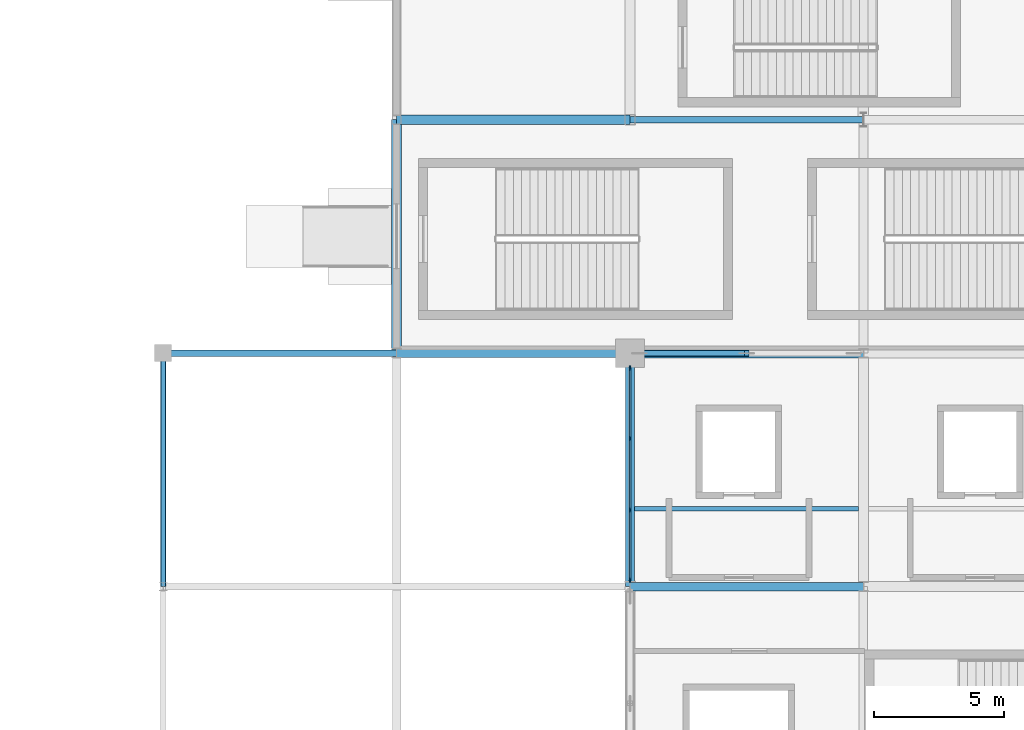
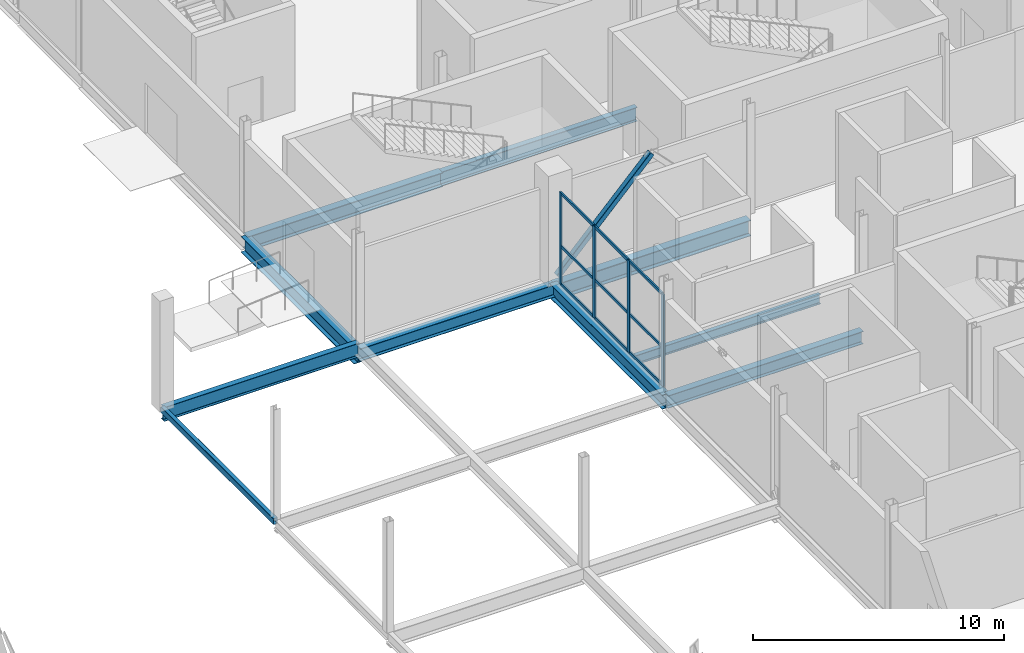
# One storey, part 35 of 94: 14 members, 10 beams, 1 element without a shape of its own.
"""IFC4 building model written with IfcOpenShell, lengths in metres."""

from ifc_helpers import new_model, si_unit, direction, frame, origin, origin_2d, place, context, subcontext, project, spatial, rectangle, hollow_rectangle, i_section, extrude, material, layer, layer_set, material_profile, profile_set, type_object, element, aggregate, save


model = new_model("IFC4")

# Units and contexts
model_context = context("Model", 3, precision=1e-05, world=origin(), true_north=direction((0.0, 1.0)))
body_context = subcontext(model_context, "Body", "Model", "MODEL_VIEW")
ifc_project = project(units=[si_unit("LENGTHUNIT", "METRE"), si_unit("AREAUNIT", "SQUARE_METRE"), si_unit("VOLUMEUNIT", "CUBIC_METRE"), si_unit("PLANEANGLEUNIT", "RADIAN"), si_unit("MASSUNIT", "GRAM", prefix="KILO")], contexts=[model_context])

# Site, building, storey
site_placement = place(None, origin())
site = spatial("IfcSite", under=ifc_project, at=site_placement, CompositionType="ELEMENT")
building_placement = place(site_placement, origin())
building = spatial("IfcBuilding", under=site, at=building_placement, Name="Qamarlyn Nura Convention Centre", CompositionType="ELEMENT")
storey_placement = place(building_placement, origin())
storey = spatial("IfcBuildingStorey", under=building, at=storey_placement, Name="L00", CompositionType="ELEMENT", Elevation=0.0)

# Beams
ifc_material_1 = material(Name="Steel ASTM A992", Category="steel")
ifc_material_profile_1 = material_profile(ifc_material_1, i_section(OverallWidth=0.323974609375, OverallDepth=0.611083984375, WebThickness=0.0126953125, FlangeThickness=0.01904296875, FilletRadius=0.01611328125, at=origin_2d()), Name="W610X155")
ifc_profile_set_1 = profile_set([ifc_material_profile_1], Name="Steel ASTM A992")
beam_type_1 = type_object("IfcBeamType", Name="BM-GIRD-610", PredefinedType="BEAM", material=ifc_profile_set_1)
for number, where, z_axis, x_axis, name in (
    (1, (153.0, 72.0, -0.5654296875), (1.0, 0.0, 0.0), (0.0, 1.0, 0.0), "L00 girder J 13-14"),
    (2, (144.0, 81.0, -0.58544921875), (1.0, 0.0, 0.0), (0.0, 1.0, 0.0), "L00 girder K 12-13"),
):
    element("IfcBeam", number, at=place(storey_placement, frame(where, z_axis=z_axis, x_axis=x_axis)), inside=storey, type_object=beam_type_1, Name=name, PredefinedType="BEAM", context=body_context, shape_type="SweptSolid", body=[
        extrude(i_section(OverallWidth=0.323974609375, OverallDepth=0.611083984375, WebThickness=0.0126953125, FlangeThickness=0.01904296875, FilletRadius=0.01611328125, at=origin_2d()), origin(), (0.0, 0.0, 1.0), 9.0),
    ])
ifc_material_profile_2 = material_profile(ifc_material_1, i_section(OverallWidth=0.35498046875, OverallDepth=0.695068359375, WebThickness=0.015380859375, FlangeThickness=0.02490234375, FilletRadius=0.01806640625, at=origin_2d()), Name="W690X217")
ifc_profile_set_2 = profile_set([ifc_material_profile_2], Name="Steel ASTM A992")
beam_type_2 = type_object("IfcBeamType", Name="BM-GIRD-690A", PredefinedType="BEAM", material=ifc_profile_set_2)
for number, where, z_axis, x_axis, name in (
    (3, (144.0, 90.0, -0.62744140625), (1.0, 0.0, 0.0), (0.0, 1.0, 0.0), "L00 girder L 12-13"),
    (4, (153.0, 72.0, -0.607421875), (0.0, 1.0, 0.0), (-1.0, 0.0, 0.0), "L00 girder 13 J-K"),
):
    element("IfcBeam", number, at=place(storey_placement, frame(where, z_axis=z_axis, x_axis=x_axis)), inside=storey, type_object=beam_type_2, Name=name, PredefinedType="BEAM", context=body_context, shape_type="SweptSolid", body=[
        extrude(i_section(OverallWidth=0.35498046875, OverallDepth=0.695068359375, WebThickness=0.015380859375, FlangeThickness=0.02490234375, FilletRadius=0.01806640625, at=origin_2d()), origin(), (0.0, 0.0, 1.0), 9.0),
    ])
ifc_material_profile_3 = material_profile(ifc_material_1, i_section(OverallWidth=0.25390625, OverallDepth=0.68408203125, WebThickness=0.012451171875, FlangeThickness=0.01904296875, FilletRadius=0.01806640625, at=origin_2d()), Name="W690X140")
ifc_profile_set_3 = profile_set([ifc_material_profile_3], Name="Steel ASTM A992")
beam_type_3 = type_object("IfcBeamType", Name="BM-GIRD-690B", PredefinedType="BEAM", material=ifc_profile_set_3)
for number, where, z_axis, x_axis, name in (
    (5, (135.0, 81.0, -0.342041015625), (1.0, 0.0, 0.0), (0.0, 1.0, 0.0), "L00 girder K 11-12"),
    (6, (153.0, 90.0, -0.6220703125), (1.0, 0.0, 0.0), (0.0, 1.0, 0.0), "L00 girder L 13-14"),
):
    element("IfcBeam", number, at=place(storey_placement, frame(where, z_axis=z_axis, x_axis=x_axis)), inside=storey, type_object=beam_type_3, Name=name, PredefinedType="BEAM", context=body_context, shape_type="SweptSolid", body=[
        extrude(i_section(OverallWidth=0.25390625, OverallDepth=0.68408203125, WebThickness=0.012451171875, FlangeThickness=0.01904296875, FilletRadius=0.01806640625, at=origin_2d()), origin(), (0.0, 0.0, 1.0), 9.0),
    ])
ifc_material_profile_4 = material_profile(ifc_material_1, i_section(OverallWidth=0.381103515625, OverallDepth=0.77294921875, WebThickness=0.0166015625, FlangeThickness=0.027587890625, FilletRadius=0.02001953125, at=origin_2d()), Name="W760X257")
ifc_profile_set_4 = profile_set([ifc_material_profile_4], Name="Steel ASTM A992")
beam_type_4 = type_object("IfcBeamType", Name="BM-GIRD-760", PredefinedType="BEAM", material=ifc_profile_set_4)
for number, where, z_axis, x_axis, name in (
    (7, (153.0, 81.0, -0.66650390625), (1.0, 0.0, 0.0), (0.0, 1.0, 0.0), "L00 girder K 13-14"),
    (8, (144.0, 81.0, -0.66650390625), (0.0, 1.0, 0.0), (-1.0, 0.0, 0.0), "L00 girder 12 K-L"),
):
    element("IfcBeam", number, at=place(storey_placement, frame(where, z_axis=z_axis, x_axis=x_axis)), inside=storey, type_object=beam_type_4, Name=name, PredefinedType="BEAM", context=body_context, shape_type="SweptSolid", body=[
        extrude(i_section(OverallWidth=0.381103515625, OverallDepth=0.77294921875, WebThickness=0.0166015625, FlangeThickness=0.027587890625, FilletRadius=0.02001953125, at=origin_2d()), origin(), (0.0, 0.0, 1.0), 9.0),
    ])
ifc_material_profile_5 = material_profile(ifc_material_1, i_section(OverallWidth=0.18994140625, OverallDepth=0.45703125, WebThickness=0.009033203125, FlangeThickness=0.014404296875, FilletRadius=0.012939453125, at=origin_2d()), Name="W460X74")
ifc_profile_set_5 = profile_set([ifc_material_profile_5], Name="Steel ASTM A992")
beam_type_5 = type_object("IfcBeamType", Name="BM-JOIST-460", PredefinedType="JOIST", material=ifc_profile_set_5)
beam_1_placement = place(storey_placement, frame((153.177490234375, 75.0, -0.488525390625), z_axis=(1.0, 0.0, 0.0), x_axis=(0.0, 1.0, 0.0)))
element("IfcBeam", 9, at=beam_1_placement, inside=storey, type_object=beam_type_5, Name="L00 composite joist 13-14/J+1", PredefinedType="JOIST", context=body_context, shape_type="SweptSolid", body=[
    extrude(i_section(OverallWidth=0.18994140625, OverallDepth=0.45703125, WebThickness=0.009033203125, FlangeThickness=0.014404296875, FilletRadius=0.012939453125, at=origin_2d()), origin(), (0.0, 0.0, 1.0), 8.632080078125),
])
ifc_material_2 = material(Name="Steel ASTM A500 Grade C", Category="steel")
ifc_material_profile_6 = material_profile(ifc_material_2, hollow_rectangle(XDim=0.199951171875, YDim=0.300048828125, WallThickness=0.012451171875, InnerFilletRadius=0.012451171875, OuterFilletRadius=0.02490234375, at=origin_2d()), Name="HSS300X200X12.5")
ifc_profile_set_6 = profile_set([ifc_material_profile_6], Name="Steel ASTM A500 Grade C")
beam_type_6 = type_object("IfcBeamType", Name="BM-SPAN-HSS", PredefinedType="SPANDREL", material=ifc_profile_set_6)
beam_2_placement = place(storey_placement, frame((135.0, 72.0, -0.14990234375), z_axis=(0.0, 1.0, 0.0), x_axis=(-1.0, 0.0, 0.0)))
element("IfcBeam", 10, at=beam_2_placement, inside=storey, type_object=beam_type_6, Name="L00 girder 11 J-K", PredefinedType="SPANDREL", context=body_context, shape_type="SweptSolid", body=[
    extrude(hollow_rectangle(XDim=0.199951171875, YDim=0.300048828125, WallThickness=0.012451171875, InnerFilletRadius=0.012451171875, OuterFilletRadius=0.02490234375, at=origin_2d()), origin(), (0.0, 0.0, 1.0), 9.0),
])

# Member
ifc_material_profile_7 = material_profile(ifc_material_2, hollow_rectangle(XDim=0.25, YDim=0.25, WallThickness=0.012451171875, InnerFilletRadius=0.012451171875, OuterFilletRadius=0.02490234375, at=origin_2d()), Name="HSS250X250X12.5")
ifc_profile_set_7 = profile_set([ifc_material_profile_7], Name="Steel ASTM A500 Grade C")
member_type_1 = type_object("IfcMemberType", Name="CBF-BRC-250", PredefinedType="BRACE", material=ifc_profile_set_7)
member_1_placement = place(storey_placement, frame((153.179931640625, 81.0, 0.0), z_axis=(0.694456524351, 0.0, 0.719534666146), x_axis=(0.0, 1.0, 0.0)))
element("IfcMember", 11, at=member_1_placement, inside=storey, type_object=member_type_1, Name="L00 SCBF chevron brace CBF-N1L", PredefinedType="BRACE", context=body_context, shape_type="SweptSolid", body=[
    extrude(hollow_rectangle(XDim=0.25, YDim=0.25, WallThickness=0.012451171875, InnerFilletRadius=0.012451171875, OuterFilletRadius=0.02490234375, at=origin_2d()), origin(), (0.0, 0.0, 1.0), 6.220703125),
])

# Curtain wall, members
ifc_material_3 = material(Name="Double-silver low-E insulated glass", Category="glass")
ifc_layer = layer(ifc_material_3, 0.179931640625, Name="CW-UNIT-63")
ifc_layer_set = layer_set([ifc_layer], Name="Double-silver low-E insulated glass")
curtain_wall_type = type_object("IfcCurtainWallType", Name="CW-UNIT-63", PredefinedType="NOTDEFINED", material=ifc_layer_set)
curtain_wall_placement = place(storey_placement, origin())
curtain_wall = element("IfcCurtainWall", 12, at=curtain_wall_placement, inside=storey, type_object=curtain_wall_type, Name="L00 unitised curtain wall CRT-72-1", PredefinedType="NOTDEFINED")
ifc_material_4 = material(Name="Champagne-anodised marine aluminium", Category="aluminium")
ifc_material_profile_8 = material_profile(ifc_material_4, rectangle(XDim=0.070068359375, YDim=0.179931640625, at=origin_2d()), Name="ALU MULLION 70x180")
ifc_profile_set_8 = profile_set([ifc_material_profile_8], Name="Champagne-anodised marine aluminium")
member_type_2 = type_object("IfcMemberType", Name="CWM-180", PredefinedType="MULLION", material=ifc_profile_set_8)
member_2_placement = place(storey_placement, frame((153.0, 72.24755859375, 0.0), z_axis=(0.0, 0.0, 1.0), x_axis=(-1.0, 0.0, 0.0)))
member_2 = element("IfcMember", 13, at=member_2_placement, type_object=member_type_2, Name="CW63 mullion 1", PredefinedType="MULLION", context=body_context, shape_type="SweptSolid", body=[
    extrude(rectangle(XDim=0.070068359375, YDim=0.179931640625, at=origin_2d()), origin(), (0.0, 0.0, 1.0), 4.48095703125),
])
member_3_placement = place(storey_placement, frame((153.0, 74.958251953125, 0.0), z_axis=(0.0, 0.0, 1.0), x_axis=(-1.0, 0.0, 0.0)))
member_3 = element("IfcMember", 14, at=member_3_placement, type_object=member_type_2, Name="CW63 mullion 2", PredefinedType="MULLION", context=body_context, shape_type="SweptSolid", body=[
    extrude(rectangle(XDim=0.070068359375, YDim=0.179931640625, at=origin_2d()), origin(), (0.0, 0.0, 1.0), 4.48095703125),
])
member_4_placement = place(storey_placement, frame((153.0, 77.7041015625, 0.0), z_axis=(0.0, 0.0, 1.0), x_axis=(-1.0, 0.0, 0.0)))
member_4 = element("IfcMember", 15, at=member_4_placement, type_object=member_type_2, Name="CW63 mullion 3", PredefinedType="MULLION", context=body_context, shape_type="SweptSolid", body=[
    extrude(rectangle(XDim=0.070068359375, YDim=0.179931640625, at=origin_2d()), origin(), (0.0, 0.0, 1.0), 4.48095703125),
])
member_5_placement = place(storey_placement, frame((153.0, 80.4150390625, 0.0), z_axis=(0.0, 0.0, 1.0), x_axis=(-1.0, 0.0, 0.0)))
member_5 = element("IfcMember", 16, at=member_5_placement, type_object=member_type_2, Name="CW63 mullion 4", PredefinedType="MULLION", context=body_context, shape_type="SweptSolid", body=[
    extrude(rectangle(XDim=0.070068359375, YDim=0.179931640625, at=origin_2d()), origin(), (0.0, 0.0, 1.0), 4.48095703125),
])
ifc_material_profile_9 = material_profile(ifc_material_4, rectangle(XDim=0.070068359375, YDim=0.139892578125, at=origin_2d()), Name="ALU TRANSOM 70x140")
ifc_profile_set_9 = profile_set([ifc_material_profile_9], Name="Champagne-anodised marine aluminium")
member_type_3 = type_object("IfcMemberType", Name="CWT-140", PredefinedType="USERDEFINED", material=ifc_profile_set_9)
member_6_placement = place(storey_placement, frame((153.0, 72.282470703125, 0.034912109375), z_axis=(0.0, 1.0, 0.0), x_axis=(-1.0, 0.0, 0.0)))
member_6 = element("IfcMember", 17, at=member_6_placement, type_object=member_type_3, Name="CW63 transom 1.1", ObjectType="TRANSOM", PredefinedType="USERDEFINED", context=body_context, shape_type="SweptSolid", body=[
    extrude(rectangle(XDim=0.070068359375, YDim=0.139892578125, at=origin_2d()), origin(), (0.0, 0.0, 1.0), 2.640869140625),
])
member_7_placement = place(storey_placement, frame((153.0, 72.282470703125, 1.882080078125), z_axis=(0.0, 1.0, 0.0), x_axis=(-1.0, 0.0, 0.0)))
member_7 = element("IfcMember", 18, at=member_7_placement, type_object=member_type_3, Name="CW63 transom 1.2", ObjectType="TRANSOM", PredefinedType="USERDEFINED", context=body_context, shape_type="SweptSolid", body=[
    extrude(rectangle(XDim=0.070068359375, YDim=0.139892578125, at=origin_2d()), origin(), (0.0, 0.0, 1.0), 2.640869140625),
])
member_8_placement = place(storey_placement, frame((153.0, 72.282470703125, 4.446044921875), z_axis=(0.0, 1.0, 0.0), x_axis=(-1.0, 0.0, 0.0)))
member_8 = element("IfcMember", 19, at=member_8_placement, type_object=member_type_3, Name="CW63 transom 1.3", ObjectType="TRANSOM", PredefinedType="USERDEFINED", context=body_context, shape_type="SweptSolid", body=[
    extrude(rectangle(XDim=0.070068359375, YDim=0.139892578125, at=origin_2d()), origin(), (0.0, 0.0, 1.0), 2.640869140625),
])
member_9_placement = place(storey_placement, frame((153.0, 74.993408203125, 0.034912109375), z_axis=(0.0, 1.0, 0.0), x_axis=(-1.0, 0.0, 0.0)))
member_9 = element("IfcMember", 20, at=member_9_placement, type_object=member_type_3, Name="CW63 transom 2.1", ObjectType="TRANSOM", PredefinedType="USERDEFINED", context=body_context, shape_type="SweptSolid", body=[
    extrude(rectangle(XDim=0.070068359375, YDim=0.139892578125, at=origin_2d()), origin(), (0.0, 0.0, 1.0), 2.67578125),
])
member_10_placement = place(storey_placement, frame((153.0, 74.993408203125, 1.882080078125), z_axis=(0.0, 1.0, 0.0), x_axis=(-1.0, 0.0, 0.0)))
member_10 = element("IfcMember", 21, at=member_10_placement, type_object=member_type_3, Name="CW63 transom 2.2", ObjectType="TRANSOM", PredefinedType="USERDEFINED", context=body_context, shape_type="SweptSolid", body=[
    extrude(rectangle(XDim=0.070068359375, YDim=0.139892578125, at=origin_2d()), origin(), (0.0, 0.0, 1.0), 2.67578125),
])
member_11_placement = place(storey_placement, frame((153.0, 74.993408203125, 4.446044921875), z_axis=(0.0, 1.0, 0.0), x_axis=(-1.0, 0.0, 0.0)))
member_11 = element("IfcMember", 22, at=member_11_placement, type_object=member_type_3, Name="CW63 transom 2.3", ObjectType="TRANSOM", PredefinedType="USERDEFINED", context=body_context, shape_type="SweptSolid", body=[
    extrude(rectangle(XDim=0.070068359375, YDim=0.139892578125, at=origin_2d()), origin(), (0.0, 0.0, 1.0), 2.67578125),
])
member_12_placement = place(storey_placement, frame((153.0, 77.7392578125, 0.034912109375), z_axis=(0.0, 1.0, 0.0), x_axis=(-1.0, 0.0, 0.0)))
member_12 = element("IfcMember", 23, at=member_12_placement, type_object=member_type_3, Name="CW63 transom 3.1", ObjectType="TRANSOM", PredefinedType="USERDEFINED", context=body_context, shape_type="SweptSolid", body=[
    extrude(rectangle(XDim=0.070068359375, YDim=0.139892578125, at=origin_2d()), origin(), (0.0, 0.0, 1.0), 2.640625),
])
member_13_placement = place(storey_placement, frame((153.0, 77.7392578125, 1.882080078125), z_axis=(0.0, 1.0, 0.0), x_axis=(-1.0, 0.0, 0.0)))
member_13 = element("IfcMember", 24, at=member_13_placement, type_object=member_type_3, Name="CW63 transom 3.2", ObjectType="TRANSOM", PredefinedType="USERDEFINED", context=body_context, shape_type="SweptSolid", body=[
    extrude(rectangle(XDim=0.070068359375, YDim=0.139892578125, at=origin_2d()), origin(), (0.0, 0.0, 1.0), 2.640625),
])
member_14_placement = place(storey_placement, frame((153.0, 77.7392578125, 4.446044921875), z_axis=(0.0, 1.0, 0.0), x_axis=(-1.0, 0.0, 0.0)))
member_14 = element("IfcMember", 25, at=member_14_placement, type_object=member_type_3, Name="CW63 transom 3.3", ObjectType="TRANSOM", PredefinedType="USERDEFINED", context=body_context, shape_type="SweptSolid", body=[
    extrude(rectangle(XDim=0.070068359375, YDim=0.139892578125, at=origin_2d()), origin(), (0.0, 0.0, 1.0), 2.640625),
])
aggregate(curtain_wall, [member_2, member_3, member_4, member_5, member_6, member_7, member_8, member_9, member_10, member_11, member_12, member_13, member_14])

save(model, "model.ifc")
